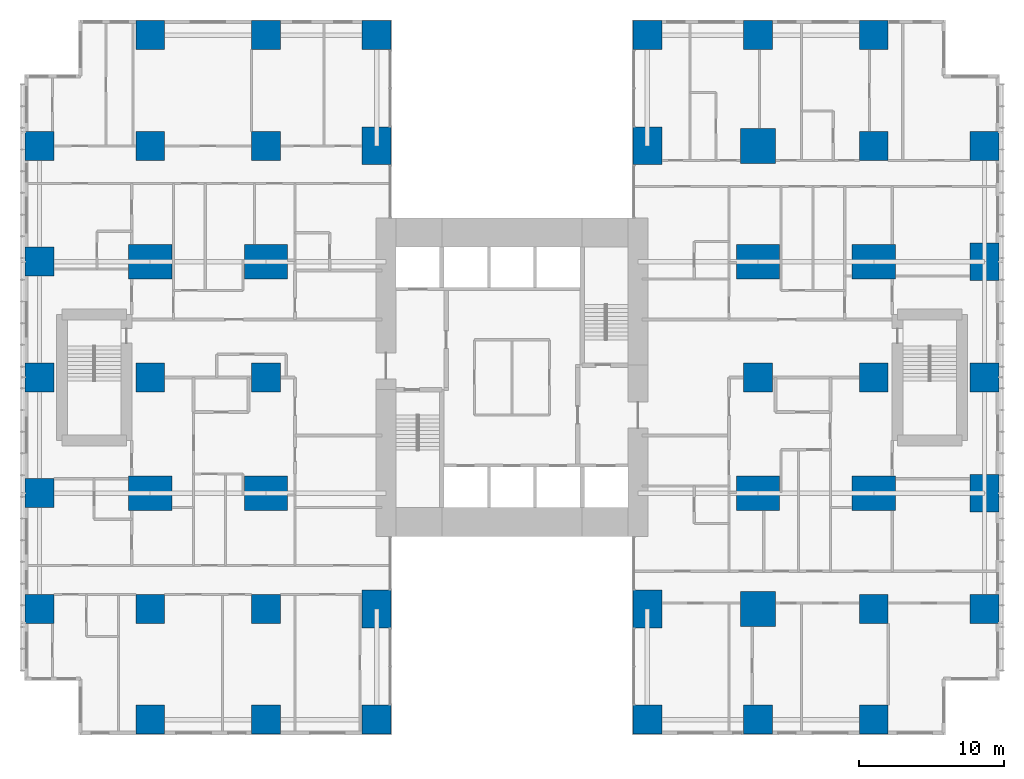
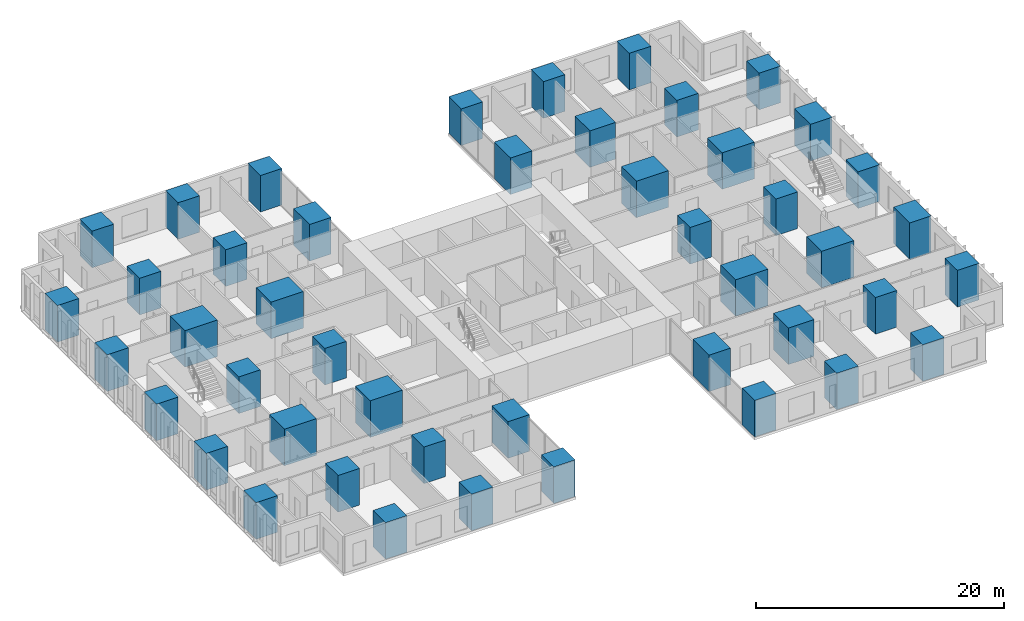
# One storey, part 1 of 20: 46 columns.
"""IFC4 building model written with IfcOpenShell, lengths in metres."""

from ifc_helpers import new_model, si_unit, direction, frame, origin, origin_2d, place, context, subcontext, project, spatial, rectangle, extrude, material, material_profile, profile_set, type_object, element, save


model = new_model("IFC4")

# Units and contexts
model_context = context("Model", 3, precision=1e-05, world=origin(), true_north=direction((0.0, 1.0)))
body_context = subcontext(model_context, "Body", "Model", "MODEL_VIEW")
ifc_project = project(units=[si_unit("LENGTHUNIT", "METRE"), si_unit("AREAUNIT", "SQUARE_METRE"), si_unit("VOLUMEUNIT", "CUBIC_METRE"), si_unit("PLANEANGLEUNIT", "RADIAN"), si_unit("MASSUNIT", "GRAM", prefix="KILO")], contexts=[model_context])

# Site, building, storey
site_placement = place(None, origin())
site = spatial("IfcSite", under=ifc_project, at=site_placement, CompositionType="ELEMENT")
building_placement = place(site_placement, origin())
building = spatial("IfcBuilding", under=site, at=building_placement, Name="Cleftline Residences", CompositionType="ELEMENT")
storey_placement = place(building_placement, frame((0.0, 0.0, 143.0)))
storey = spatial("IfcBuildingStorey", under=building, at=storey_placement, Name="L37", CompositionType="ELEMENT", Elevation=143.0)

# Columns
ifc_material_1 = material(Name="Concrete B70", Category="concrete")
ifc_material_profile_1 = material_profile(ifc_material_1, rectangle(XDim=2.0, YDim=2.0, at=origin_2d()))
ifc_profile_set_1 = profile_set([ifc_material_profile_1], Name="Concrete B70")
column_type_1 = type_object("IfcColumnType", Name="COLUMN RC2000X2000", PredefinedType="COLUMN", material=ifc_profile_set_1)
for number, where, z_axis, x_axis, name in (
    (1, (0.35009765625, 8.0, 0.0), (0.0, 0.0, 1.0), (1.0, 0.0, 0.0), "Column D/3"),
    (2, (0.35009765625, 16.0, 0.0), (0.0, 0.0, 1.0), (1.0, 0.0, 0.0), "Column E/3"),
    (3, (0.35009765625, 24.0, 0.0), (0.0, 0.0, 1.0), (1.0, 0.0, 0.0), "Column F/3"),
    (4, (0.35009765625, 32.0, 0.0), (0.0, 0.0, 1.0), (1.0, 0.0, 0.0), "Column G/3"),
    (5, (0.35009765625, 40.0, 0.0), (0.0, 0.0, 1.0), (1.0, 0.0, 0.0), "Column H/3"),
    (6, (8.0, 0.35009765625, 0.0), (0.0, 0.0, 1.0), (1.0, 0.0, 0.0), "Column C/4"),
    (7, (8.0, 8.0, 0.0), (0.0, 0.0, 1.0), (1.0, 0.0, 0.0), "Column D/4"),
    (8, (8.0, 24.0, 0.0), (0.0, 0.0, 1.0), (1.0, 0.0, 0.0), "Column F/4"),
    (9, (8.0, 40.0, 0.0), (0.0, 0.0, 1.0), (1.0, 0.0, 0.0), "Column H/4"),
    (10, (8.0, 47.64990234375, 0.0), (0.0, 0.0, 1.0), (1.0, 0.0, 0.0), "Column J/4"),
    (11, (16.0, 0.35009765625, 0.0), (0.0, 0.0, 1.0), (1.0, 0.0, 0.0), "Column C/5"),
    (12, (16.0, 8.0, 0.0), (0.0, 0.0, 1.0), (1.0, 0.0, 0.0), "Column D/5"),
    (13, (16.0, 24.0, 0.0), (0.0, 0.0, 1.0), (1.0, 0.0, 0.0), "Column F/5"),
    (14, (16.0, 40.0, 0.0), (0.0, 0.0, 1.0), (1.0, 0.0, 0.0), "Column H/5"),
    (15, (16.0, 47.64990234375, 0.0), (0.0, 0.0, 1.0), (1.0, 0.0, 0.0), "Column J/5"),
    (16, (23.64990234375, 0.35009765625, 0.0), (0.0, 0.0, 1.0), (1.0, 0.0, 0.0), "Column C/6"),
    (17, (23.64990234375, 47.64990234375, 0.0), (0.0, 0.0, 1.0), (1.0, 0.0, 0.0), "Column J/6"),
    (18, (42.35009765625, 0.35009765625, 0.0), (0.0, 0.0, 1.0), (1.0, 0.0, 0.0), "Column C/8"),
    (19, (42.35009765625, 47.64990234375, 0.0), (0.0, 0.0, 1.0), (1.0, 0.0, 0.0), "Column J/8"),
    (20, (50.0, 0.35009765625, 0.0), (0.0, 0.0, 1.0), (1.0, 0.0, 0.0), "Column C/9"),
    (21, (50.0, 24.0, 0.0), (0.0, 0.0, 1.0), (1.0, 0.0, 0.0), "Column F/9"),
    (22, (50.0, 47.64990234375, 0.0), (0.0, 0.0, 1.0), (1.0, 0.0, 0.0), "Column J/9"),
    (23, (58.0, 0.35009765625, 0.0), (0.0, 0.0, 1.0), (1.0, 0.0, 0.0), "Column C/10"),
    (24, (58.0, 8.0, 0.0), (0.0, 0.0, 1.0), (1.0, 0.0, 0.0), "Column D/10"),
    (25, (58.0, 24.0, 0.0), (0.0, 0.0, 1.0), (1.0, 0.0, 0.0), "Column F/10"),
    (26, (58.0, 40.0, 0.0), (0.0, 0.0, 1.0), (1.0, 0.0, 0.0), "Column H/10"),
    (27, (58.0, 47.64990234375, 0.0), (0.0, 0.0, 1.0), (1.0, 0.0, 0.0), "Column J/10"),
    (28, (65.64990234375, 8.0, 0.0), (0.0, 0.0, 1.0), (1.0, 0.0, 0.0), "Column D/11"),
    (29, (65.64990234375, 24.0, 0.0), (0.0, 0.0, 1.0), (1.0, 0.0, 0.0), "Column F/11"),
    (30, (65.64990234375, 40.0, 0.0), (0.0, 0.0, 1.0), (1.0, 0.0, 0.0), "Column H/11"),
):
    element("IfcColumn", number, at=place(storey_placement, frame(where, z_axis=z_axis, x_axis=x_axis)), inside=storey, type_object=column_type_1, Name=name, PredefinedType="COLUMN", context=body_context, shape_type="SweptSolid", body=[
        extrude(rectangle(XDim=2.0, YDim=2.0, at=origin_2d()), origin(), (0.0, 0.0, 1.0), 3.60009765625),
    ])
ifc_material_2 = material(Name="Concrete B70", Category="concrete")
ifc_material_profile_2 = material_profile(ifc_material_2, rectangle(XDim=2.0, YDim=2.60009765625, at=origin_2d()))
ifc_profile_set_2 = profile_set([ifc_material_profile_2], Name="Concrete B70")
column_type_2 = type_object("IfcColumnType", Name="COLUMN RC2000X2600", PredefinedType="COLUMN", material=ifc_profile_set_2)
for number, where, z_axis, x_axis, name in (
    (31, (23.64990234375, 8.0, 0.0), (0.0, 0.0, 1.0), (1.0, 0.0, 0.0), "Column D/6"),
    (32, (23.64990234375, 40.0, 0.0), (0.0, 0.0, 1.0), (1.0, 0.0, 0.0), "Column H/6"),
    (33, (42.35009765625, 8.0, 0.0), (0.0, 0.0, 1.0), (1.0, 0.0, 0.0), "Column D/8"),
    (34, (42.35009765625, 40.0, 0.0), (0.0, 0.0, 1.0), (1.0, 0.0, 0.0), "Column H/8"),
):
    element("IfcColumn", number, at=place(storey_placement, frame(where, z_axis=z_axis, x_axis=x_axis)), inside=storey, type_object=column_type_2, Name=name, PredefinedType="COLUMN", context=body_context, shape_type="SweptSolid", body=[
        extrude(rectangle(XDim=2.0, YDim=2.60009765625, at=origin_2d()), origin(), (0.0, 0.0, 1.0), 3.60009765625),
    ])
ifc_material_3 = material(Name="Concrete B70", Category="concrete")
ifc_material_profile_3 = material_profile(ifc_material_3, rectangle(XDim=2.39990234375, YDim=2.39990234375, at=origin_2d()))
ifc_profile_set_3 = profile_set([ifc_material_profile_3], Name="Concrete B70")
column_type_3 = type_object("IfcColumnType", Name="COLUMN RC2400X2400", PredefinedType="COLUMN", material=ifc_profile_set_3)
for number, where, z_axis, x_axis, name in (
    (35, (50.0, 8.0, 0.0), (0.0, 0.0, 1.0), (1.0, 0.0, 0.0), "Column D/9"),
    (36, (50.0, 40.0, 0.0), (0.0, 0.0, 1.0), (1.0, 0.0, 0.0), "Column H/9"),
):
    element("IfcColumn", number, at=place(storey_placement, frame(where, z_axis=z_axis, x_axis=x_axis)), inside=storey, type_object=column_type_3, Name=name, PredefinedType="COLUMN", context=body_context, shape_type="SweptSolid", body=[
        extrude(rectangle(XDim=2.39990234375, YDim=2.39990234375, at=origin_2d()), origin(), (0.0, 0.0, 1.0), 3.60009765625),
    ])
ifc_material_4 = material(Name="Concrete B70", Category="concrete")
ifc_material_profile_4 = material_profile(ifc_material_4, rectangle(XDim=2.60009765625, YDim=2.0, at=origin_2d()))
ifc_profile_set_4 = profile_set([ifc_material_profile_4], Name="Concrete B70")
column_type_4 = type_object("IfcColumnType", Name="COLUMN RC2600X2000", PredefinedType="COLUMN", material=ifc_profile_set_4)
for number, where, z_axis, x_axis, name in (
    (37, (65.64990234375, 16.0, 0.0), (0.0, 0.0, 1.0), (0.0, 1.0, 0.0), "Column E/11"),
    (38, (65.64990234375, 32.0, 0.0), (0.0, 0.0, 1.0), (0.0, 1.0, 0.0), "Column G/11"),
):
    element("IfcColumn", number, at=place(storey_placement, frame(where, z_axis=z_axis, x_axis=x_axis)), inside=storey, type_object=column_type_4, Name=name, PredefinedType="COLUMN", context=body_context, shape_type="SweptSolid", body=[
        extrude(rectangle(XDim=2.60009765625, YDim=2.0, at=origin_2d()), origin(), (0.0, 0.0, 1.0), 3.60009765625),
    ])
ifc_material_5 = material(Name="Concrete B70", Category="concrete")
ifc_material_profile_5 = material_profile(ifc_material_5, rectangle(XDim=3.0, YDim=2.39990234375, at=origin_2d()))
ifc_profile_set_5 = profile_set([ifc_material_profile_5], Name="Concrete B70")
column_type_5 = type_object("IfcColumnType", Name="COLUMN RC3000X2400", PredefinedType="COLUMN", material=ifc_profile_set_5)
for number, where, z_axis, x_axis, name in (
    (39, (8.0, 16.0, 0.0), (0.0, 0.0, 1.0), (1.0, 0.0, 0.0), "Column E/4"),
    (40, (8.0, 32.0, 0.0), (0.0, 0.0, 1.0), (1.0, 0.0, 0.0), "Column G/4"),
    (41, (16.0, 16.0, 0.0), (0.0, 0.0, 1.0), (1.0, 0.0, 0.0), "Column E/5"),
    (42, (16.0, 32.0, 0.0), (0.0, 0.0, 1.0), (1.0, 0.0, 0.0), "Column G/5"),
    (43, (50.0, 16.0, 0.0), (0.0, 0.0, 1.0), (1.0, 0.0, 0.0), "Column E/9"),
    (44, (50.0, 32.0, 0.0), (0.0, 0.0, 1.0), (1.0, 0.0, 0.0), "Column G/9"),
    (45, (58.0, 16.0, 0.0), (0.0, 0.0, 1.0), (1.0, 0.0, 0.0), "Column E/10"),
    (46, (58.0, 32.0, 0.0), (0.0, 0.0, 1.0), (1.0, 0.0, 0.0), "Column G/10"),
):
    element("IfcColumn", number, at=place(storey_placement, frame(where, z_axis=z_axis, x_axis=x_axis)), inside=storey, type_object=column_type_5, Name=name, PredefinedType="COLUMN", context=body_context, shape_type="SweptSolid", body=[
        extrude(rectangle(XDim=3.0, YDim=2.39990234375, at=origin_2d()), origin(), (0.0, 0.0, 1.0), 3.60009765625),
    ])

save(model, "model.ifc")
